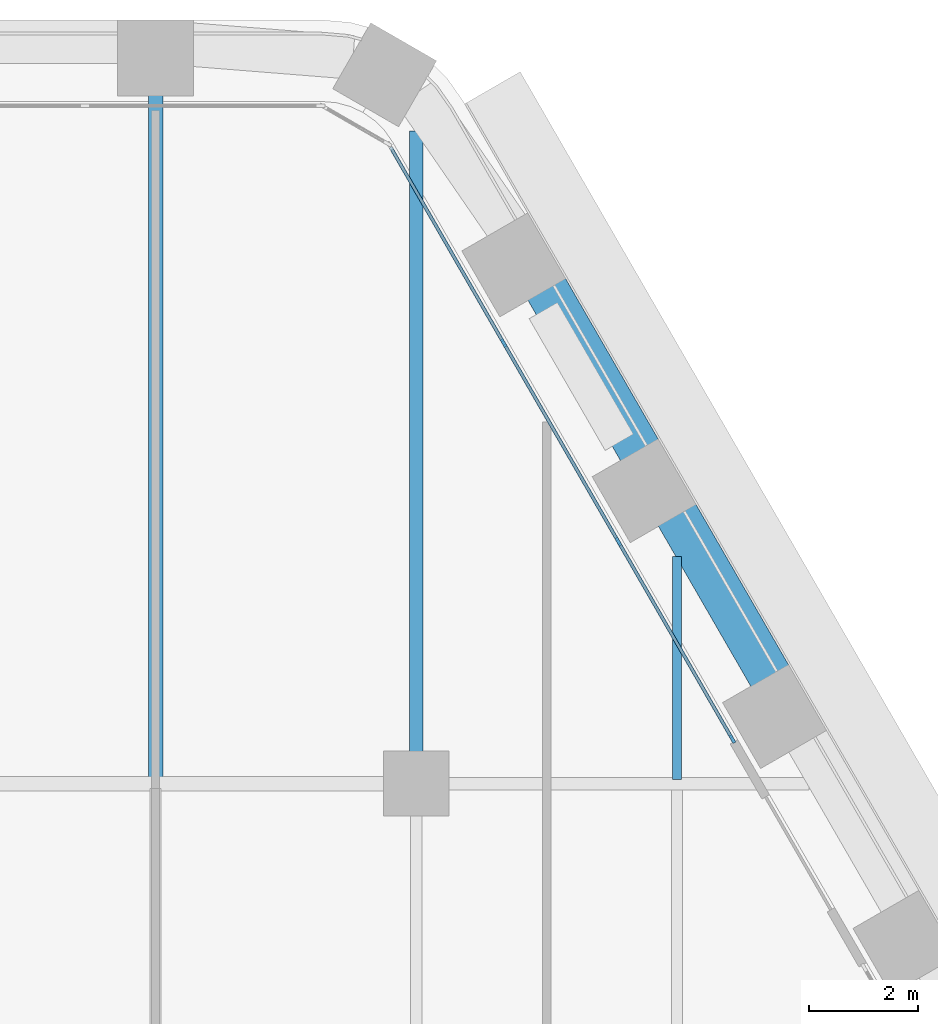
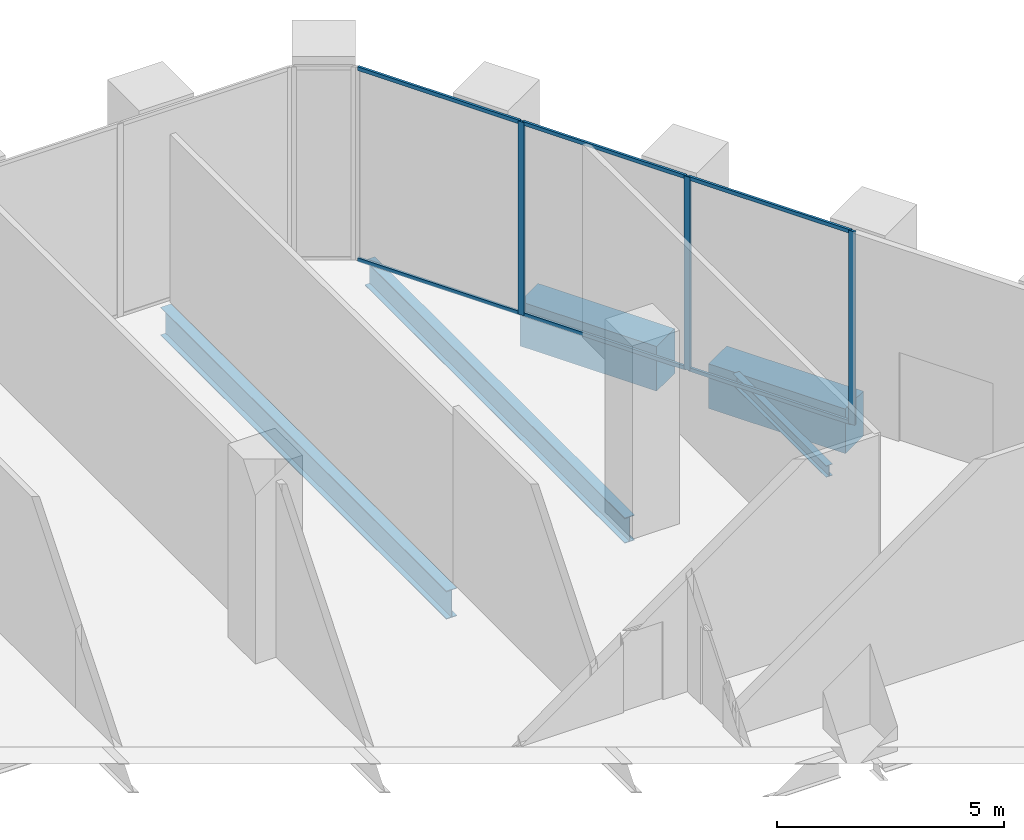
# One storey, part 10 of 27: 9 members, 5 beams, 1 element without a shape of its own.
"""IFC4 building model written with IfcOpenShell, lengths in metres."""

from ifc_helpers import new_model, si_unit, direction, frame, origin, origin_2d, place, context, subcontext, project, spatial, rectangle, i_section, extrude, material, material_profile, profile_set, type_object, element, aggregate, save


model = new_model("IFC4")

# Units and contexts
model_context = context("Model", 3, precision=1e-05, world=origin(), true_north=direction((0.0, 1.0)))
body_context = subcontext(model_context, "Body", "Model", "MODEL_VIEW")
ifc_project = project(units=[si_unit("LENGTHUNIT", "METRE"), si_unit("AREAUNIT", "SQUARE_METRE"), si_unit("VOLUMEUNIT", "CUBIC_METRE"), si_unit("PLANEANGLEUNIT", "RADIAN"), si_unit("MASSUNIT", "GRAM", prefix="KILO")], contexts=[model_context])

# Site, building, storey
site_placement = place(None, origin())
site = spatial("IfcSite", under=ifc_project, at=site_placement, CompositionType="ELEMENT")
building_placement = place(site_placement, origin())
building = spatial("IfcBuilding", under=site, at=building_placement, Name="Kolab Exchange Tower", CompositionType="ELEMENT")
storey_placement = place(building_placement, frame((0.0, 0.0, 66.39990234375)))
storey = spatial("IfcBuildingStorey", under=building, at=storey_placement, Name="L12", CompositionType="ELEMENT", Elevation=66.39990234375)

# Beams
ifc_material_1 = material(Name="Steel S355", Category="steel")
ifc_material_profile_1 = material_profile(ifc_material_1, i_section(OverallWidth=0.1650390625, OverallDepth=0.31005859375, WebThickness=0.005859375, FlangeThickness=0.009765625, at=origin_2d()), Name="W310X39")
ifc_profile_set_1 = profile_set([ifc_material_profile_1], Name="Steel S355")
beam_type_1 = type_object("IfcBeamType", Name="FLOOR BEAM W310X39", PredefinedType="BEAM", material=ifc_profile_set_1)
beam_1_placement = place(storey_placement, frame((24.0, 19.27392578125, -0.454833984375), z_axis=(0.0, 1.0, 0.0), x_axis=(-1.0, 0.0, 0.0)))
element("IfcBeam", 1, at=beam_1_placement, inside=storey, type_object=beam_type_1, Name="beam/L12/fr/057", PredefinedType="BEAM", context=body_context, shape_type="SweptSolid", body=[
    extrude(i_section(OverallWidth=0.1650390625, OverallDepth=0.31005859375, WebThickness=0.005859375, FlangeThickness=0.009765625, at=origin_2d()), origin(), (0.0, 0.0, 1.0), 4.107666015625),
])
ifc_material_profile_2 = material_profile(ifc_material_1, i_section(OverallWidth=0.25390625, OverallDepth=0.68408203125, WebThickness=0.012451171875, FlangeThickness=0.018798828125, at=origin_2d()), Name="W690X140")
ifc_profile_set_2 = profile_set([ifc_material_profile_2], Name="Steel S355")
beam_type_2 = type_object("IfcBeamType", Name="FLOOR BEAM W690X140", PredefinedType="BEAM", material=ifc_profile_set_2)
beam_2_placement = place(storey_placement, frame((19.199951171875, 19.760009765625, -0.641845703125), z_axis=(0.0, 1.0, 0.0), x_axis=(-1.0, 0.0, 0.0)))
element("IfcBeam", 2, at=beam_2_placement, inside=storey, type_object=beam_type_2, Name="beam/L12/fr/051", PredefinedType="BEAM", context=body_context, shape_type="SweptSolid", body=[
    extrude(i_section(OverallWidth=0.25390625, OverallDepth=0.68408203125, WebThickness=0.012451171875, FlangeThickness=0.018798828125, at=origin_2d()), origin(), (0.0, 0.0, 1.0), 11.45458984375),
])
ifc_material_profile_3 = material_profile(ifc_material_1, i_section(OverallWidth=0.26708984375, OverallDepth=0.761962890625, WebThickness=0.014404296875, FlangeThickness=0.021484375, at=origin_2d()), Name="W760X173")
ifc_profile_set_3 = profile_set([ifc_material_profile_3], Name="Steel S355")
beam_type_3 = type_object("IfcBeamType", Name="FLOOR BEAM W760X173", PredefinedType="BEAM", material=ifc_profile_set_3)
beam_3_placement = place(storey_placement, frame((14.39990234375, 19.29345703125, -0.680908203125), z_axis=(0.0, 1.0, 0.0), x_axis=(-1.0, 0.0, 0.0)))
element("IfcBeam", 3, at=beam_3_placement, inside=storey, type_object=beam_type_3, Name="beam/L12/fr/045", PredefinedType="BEAM", context=body_context, shape_type="SweptSolid", body=[
    extrude(i_section(OverallWidth=0.26708984375, OverallDepth=0.761962890625, WebThickness=0.014404296875, FlangeThickness=0.021484375, at=origin_2d()), origin(), (0.0, 0.0, 1.0), 12.60205078125),
])
ifc_material_2 = material(Name="Concrete C80/95", Category="concrete")
ifc_material_profile_4 = material_profile(ifc_material_2, rectangle(XDim=0.800048828125, YDim=1.199951171875, at=origin_2d()), Name="RC800X1200")
ifc_profile_set_4 = profile_set([ifc_material_profile_4], Name="Concrete C80/95")
beam_type_4 = type_object("IfcBeamType", Name="SPANDREL BEAM 800X1200 C80/95", PredefinedType="BEAM", material=ifc_profile_set_4)
beam_4_placement = place(storey_placement, frame((21.58349609375, 28.326904296875, -0.89990234375), z_axis=(0.499979528911, -0.866037222451, 0.0), x_axis=(0.866037222451, 0.499979528911, 0.0)))
element("IfcBeam", 4, at=beam_4_placement, inside=storey, type_object=beam_type_4, Name="beam/L12/sp/F2-02", PredefinedType="BEAM", context=body_context, shape_type="SweptSolid", body=[
    extrude(rectangle(XDim=0.800048828125, YDim=1.199951171875, at=origin_2d()), origin(), (0.0, 0.0, 1.0), 3.480224609375),
])
beam_5_placement = place(storey_placement, frame((23.983642578125, 24.169921875, -0.89990234375), z_axis=(0.500009906705, -0.86601968407, 0.0), x_axis=(0.86601968407, 0.500009906705, 0.0)))
element("IfcBeam", 5, at=beam_5_placement, inside=storey, type_object=beam_type_4, Name="beam/L12/sp/F2-03", PredefinedType="BEAM", context=body_context, shape_type="SweptSolid", body=[
    extrude(rectangle(XDim=0.800048828125, YDim=1.199951171875, at=origin_2d()), origin(), (0.0, 0.0, 1.0), 3.47998046875),
])

# Curtain wall, members
ifc_material_3 = material(Name="Aluminium EN AW-6063 T6", Category="aluminium")
curtain_wall_type = type_object("IfcCurtainWallType", Name="UNITISED LOW ZONE CURTAIN WALL", PredefinedType="NOTDEFINED", material=ifc_material_3)
curtain_wall_placement = place(storey_placement, origin())
curtain_wall = element("IfcCurtainWall", 6, at=curtain_wall_placement, inside=storey, type_object=curtain_wall_type, Name="cw/L12/F2-1", PredefinedType="NOTDEFINED")
ifc_material_profile_5 = material_profile(ifc_material_3, rectangle(XDim=0.06005859375, YDim=0.159912109375, at=origin_2d()), Name="RECT 60X160")
ifc_profile_set_5 = profile_set([ifc_material_profile_5], Name="Aluminium EN AW-6063 T6")
member_type_1 = type_object("IfcMemberType", Name="UNITISED LOW ZONE MULLION 60 X 160", PredefinedType="MULLION", material=ifc_profile_set_5)
member_1_placement = place(storey_placement, frame((20.80908203125, 27.308349609375, 0.0), z_axis=(0.0, 0.0, 1.0), x_axis=(0.866025393644, 0.500000017564, 0.0)))
member_1 = element("IfcMember", 7, at=member_1_placement, type_object=member_type_1, Name="CW1 mullion 2", PredefinedType="MULLION", context=body_context, shape_type="SweptSolid", body=[
    extrude(rectangle(XDim=0.06005859375, YDim=0.159912109375, at=origin_2d()), origin(), (0.0, 0.0, 1.0), 5.2001953125),
])
member_2_placement = place(storey_placement, frame((22.92041015625, 23.651611328125, 0.0), z_axis=(0.0, 0.0, 1.0), x_axis=(0.866025393644, 0.500000017564, 0.0)))
member_2 = element("IfcMember", 8, at=member_2_placement, type_object=member_type_1, Name="CW1 mullion 3", PredefinedType="MULLION", context=body_context, shape_type="SweptSolid", body=[
    extrude(rectangle(XDim=0.06005859375, YDim=0.159912109375, at=origin_2d()), origin(), (0.0, 0.0, 1.0), 5.2001953125),
])
member_3_placement = place(storey_placement, frame((25.0166015625, 20.0205078125, 0.0), z_axis=(0.0, 0.0, 1.0), x_axis=(0.866025393644, 0.500000017564, 0.0)))
member_3 = element("IfcMember", 9, at=member_3_placement, type_object=member_type_1, Name="CW1 mullion 4", PredefinedType="MULLION", context=body_context, shape_type="SweptSolid", body=[
    extrude(rectangle(XDim=0.06005859375, YDim=0.159912109375, at=origin_2d()), origin(), (0.0, 0.0, 1.0), 5.2001953125),
])
ifc_material_profile_6 = material_profile(ifc_material_3, rectangle(XDim=0.06005859375, YDim=0.10009765625, at=origin_2d()), Name="RECT 60X100")
ifc_profile_set_6 = profile_set([ifc_material_profile_6], Name="Aluminium EN AW-6063 T6")
member_type_2 = type_object("IfcMemberType", Name="UNITISED LOW ZONE TRANSOM 60 X 100", PredefinedType="USERDEFINED", material=ifc_profile_set_6)
member_4_placement = place(storey_placement, frame((18.727783203125, 30.913330078125, 0.030029296875), z_axis=(0.499983268986, -0.866035063224, 0.0), x_axis=(0.866035063224, 0.499983268986, 0.0)))
member_4 = element("IfcMember", 10, at=member_4_placement, type_object=member_type_2, Name="CW1 transom 1.1", ObjectType="TRANSOM", PredefinedType="USERDEFINED", context=body_context, shape_type="SweptSolid", body=[
    extrude(rectangle(XDim=0.06005859375, YDim=0.10009765625, at=origin_2d()), origin(), (0.0, 0.0, 1.0), 4.132568359375),
])
member_5_placement = place(storey_placement, frame((18.727783203125, 30.913330078125, 5.170166015625), z_axis=(0.499983268986, -0.866035063224, 0.0), x_axis=(0.866035063224, 0.499983268986, 0.0)))
member_5 = element("IfcMember", 11, at=member_5_placement, type_object=member_type_2, Name="CW1 transom 1.2", ObjectType="TRANSOM", PredefinedType="USERDEFINED", context=body_context, shape_type="SweptSolid", body=[
    extrude(rectangle(XDim=0.06005859375, YDim=0.10009765625, at=origin_2d()), origin(), (0.0, 0.0, 1.0), 4.132568359375),
])
member_6_placement = place(storey_placement, frame((20.823974609375, 27.282470703125, 0.030029296875), z_axis=(0.49999322259, -0.866029316688, 0.0), x_axis=(0.866029316688, 0.49999322259, 0.0)))
member_6 = element("IfcMember", 12, at=member_6_placement, type_object=member_type_2, Name="CW1 transom 2.1", ObjectType="TRANSOM", PredefinedType="USERDEFINED", context=body_context, shape_type="SweptSolid", body=[
    extrude(rectangle(XDim=0.06005859375, YDim=0.10009765625, at=origin_2d()), origin(), (0.0, 0.0, 1.0), 4.16259765625),
])
member_7_placement = place(storey_placement, frame((20.823974609375, 27.282470703125, 5.170166015625), z_axis=(0.49999322259, -0.866029316688, 0.0), x_axis=(0.866029316688, 0.49999322259, 0.0)))
member_7 = element("IfcMember", 13, at=member_7_placement, type_object=member_type_2, Name="CW1 transom 2.2", ObjectType="TRANSOM", PredefinedType="USERDEFINED", context=body_context, shape_type="SweptSolid", body=[
    extrude(rectangle(XDim=0.06005859375, YDim=0.10009765625, at=origin_2d()), origin(), (0.0, 0.0, 1.0), 4.16259765625),
])
member_8_placement = place(storey_placement, frame((22.935302734375, 23.62548828125, 0.030029296875), z_axis=(0.500027577057, -0.866009481578, 0.0), x_axis=(0.866009481578, 0.500027577057, 0.0)))
member_8 = element("IfcMember", 14, at=member_8_placement, type_object=member_type_2, Name="CW1 transom 3.1", ObjectType="TRANSOM", PredefinedType="USERDEFINED", context=body_context, shape_type="SweptSolid", body=[
    extrude(rectangle(XDim=0.06005859375, YDim=0.10009765625, at=origin_2d()), origin(), (0.0, 0.0, 1.0), 4.132568359375),
])
member_9_placement = place(storey_placement, frame((22.935302734375, 23.62548828125, 5.170166015625), z_axis=(0.500027577057, -0.866009481578, 0.0), x_axis=(0.866009481578, 0.500027577057, 0.0)))
member_9 = element("IfcMember", 15, at=member_9_placement, type_object=member_type_2, Name="CW1 transom 3.2", ObjectType="TRANSOM", PredefinedType="USERDEFINED", context=body_context, shape_type="SweptSolid", body=[
    extrude(rectangle(XDim=0.06005859375, YDim=0.10009765625, at=origin_2d()), origin(), (0.0, 0.0, 1.0), 4.132568359375),
])
aggregate(curtain_wall, [member_1, member_2, member_3, member_4, member_5, member_6, member_7, member_8, member_9])

save(model, "model.ifc")
